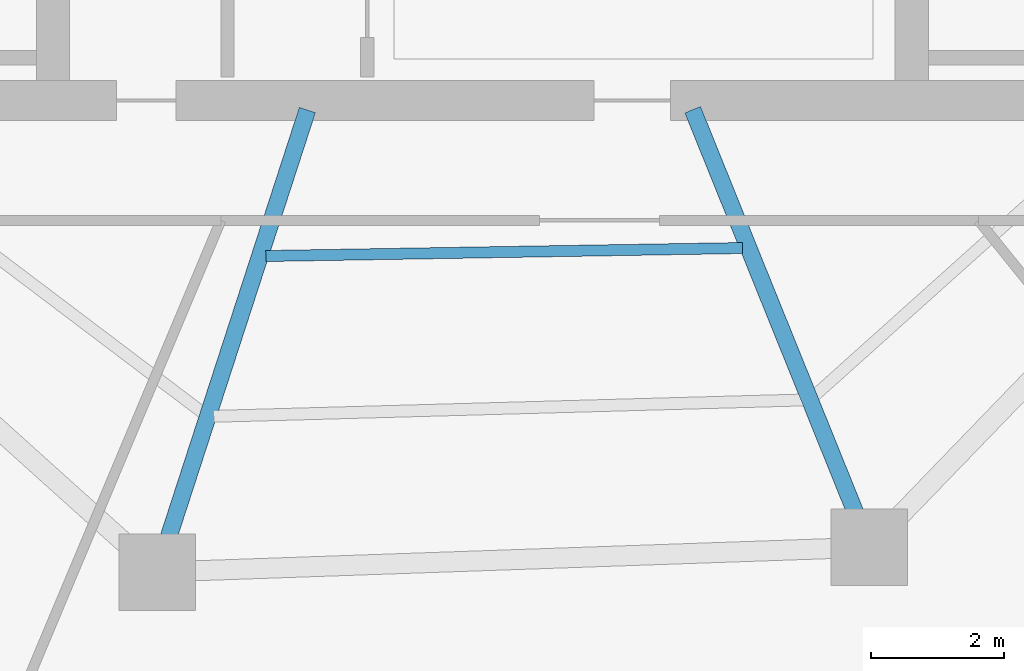
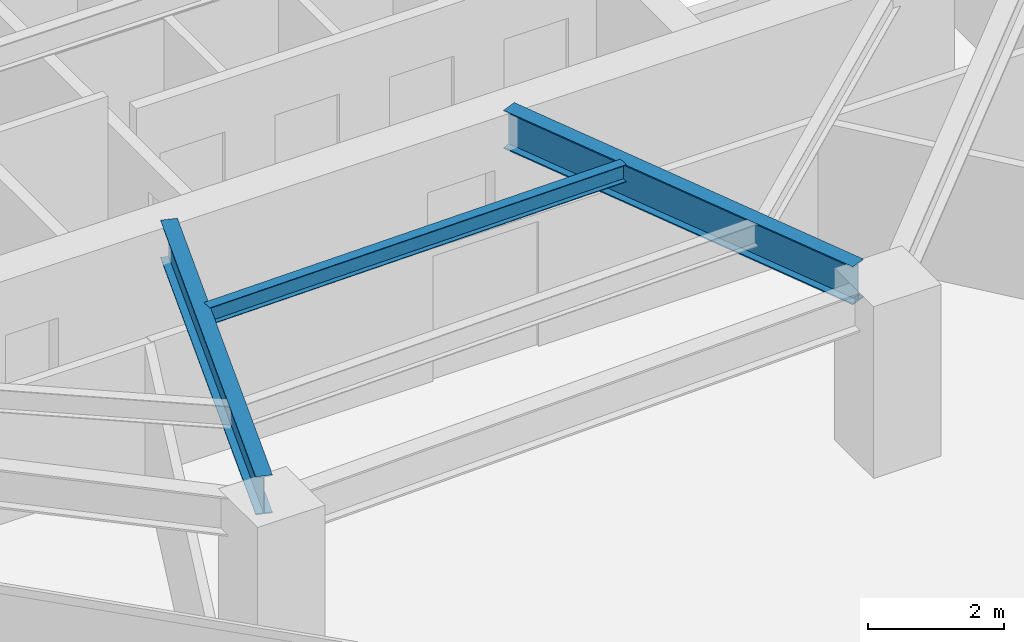
# One storey, part 4 of 23: 3 beams.
"""IFC4 building model written with IfcOpenShell, lengths in metres."""

from ifc_helpers import new_model, si_unit, direction, frame, origin, origin_2d, place, context, subcontext, project, spatial, i_section, extrude, material, material_profile, profile_set, type_object, element, save


model = new_model("IFC4")

# Units and contexts
model_context = context("Model", 3, precision=1e-05, world=origin(), true_north=direction((0.0, 1.0)))
body_context = subcontext(model_context, "Body", "Model", "MODEL_VIEW")
ifc_project = project(units=[si_unit("LENGTHUNIT", "METRE"), si_unit("AREAUNIT", "SQUARE_METRE"), si_unit("VOLUMEUNIT", "CUBIC_METRE"), si_unit("PLANEANGLEUNIT", "RADIAN"), si_unit("MASSUNIT", "GRAM", prefix="KILO")], contexts=[model_context])

# Site, building, storey
site_placement = place(None, origin())
site = spatial("IfcSite", under=ifc_project, at=site_placement, CompositionType="ELEMENT")
building_placement = place(site_placement, origin())
building = spatial("IfcBuilding", under=site, at=building_placement, Name="Qarnah Convention Tower", CompositionType="ELEMENT")
storey_placement = place(building_placement, frame((0.0, 0.0, 117.75)))
storey = spatial("IfcBuildingStorey", under=building, at=storey_placement, Name="L31", CompositionType="ELEMENT", Elevation=117.75)

# Beams
ifc_material = material(Name="Structural steel S355JR", Category="steel")
ifc_material_profile_1 = material_profile(ifc_material, i_section(OverallWidth=0.166015625, OverallDepth=0.31201171875, WebThickness=0.007080078125, FlangeThickness=0.010986328125, at=origin_2d()), Name="W310X45")
ifc_profile_set_1 = profile_set([ifc_material_profile_1], Name="Structural steel S355JR")
beam_type_1 = type_object("IfcBeamType", Name="BM-JST-W310", PredefinedType="JOIST", material=ifc_profile_set_1)
beam_1_placement = place(storey_placement, frame((33.99609375, 16.263916015625, 2.93408203125), z_axis=(0.99985934511, 0.016771702219, 0.0), x_axis=(-0.016771702219, 0.99985934511, 0.0)))
element("IfcBeam", 1, at=beam_1_placement, inside=storey, type_object=beam_type_1, Name="L31 joist BM-L31-IJST-07", PredefinedType="JOIST", context=body_context, shape_type="SweptSolid", body=[
    extrude(i_section(OverallWidth=0.166015625, OverallDepth=0.31201171875, WebThickness=0.007080078125, FlangeThickness=0.010986328125, at=origin_2d()), origin(), (0.0, 0.0, 1.0), 7.161865234375),
])
ifc_material_profile_2 = material_profile(ifc_material, i_section(OverallWidth=0.25390625, OverallDepth=0.68798828125, WebThickness=0.012939453125, FlangeThickness=0.02099609375, at=origin_2d()), Name="W690X152")
ifc_profile_set_2 = profile_set([ifc_material_profile_2], Name="Structural steel S355JR")
beam_type_2 = type_object("IfcBeamType", Name="BM-RAD-W690", PredefinedType="BEAM", material=ifc_profile_set_2)
beam_2_placement = place(storey_placement, frame((34.6201171875, 18.45703125, 2.74609375), z_axis=(-0.30908279771, -0.951035132979, 0.0), x_axis=(0.951035132979, -0.30908279771, 0.0)))
element("IfcBeam", 2, at=beam_2_placement, inside=storey, type_object=beam_type_2, Name="L31 beam BM-L31-RAD-07", PredefinedType="BEAM", context=body_context, shape_type="SweptSolid", body=[
    extrude(i_section(OverallWidth=0.25390625, OverallDepth=0.68798828125, WebThickness=0.012939453125, FlangeThickness=0.02099609375, at=origin_2d()), origin(), (0.0, 0.0, 1.0), 6.7431640625),
])
beam_3_placement = place(storey_placement, frame((40.407958984375, 18.4609375, 2.74609375), z_axis=(0.374642886347, -0.927169190445, 0.0), x_axis=(0.927169190445, 0.374642886347, 0.0)))
element("IfcBeam", 3, at=beam_3_placement, inside=storey, type_object=beam_type_2, Name="L31 beam BM-L31-RAD-08", PredefinedType="BEAM", context=body_context, shape_type="SweptSolid", body=[
    extrude(i_section(OverallWidth=0.25390625, OverallDepth=0.68798828125, WebThickness=0.012939453125, FlangeThickness=0.02099609375, at=origin_2d()), origin(), (0.0, 0.0, 1.0), 6.531494140625),
])

save(model, "model.ifc")
